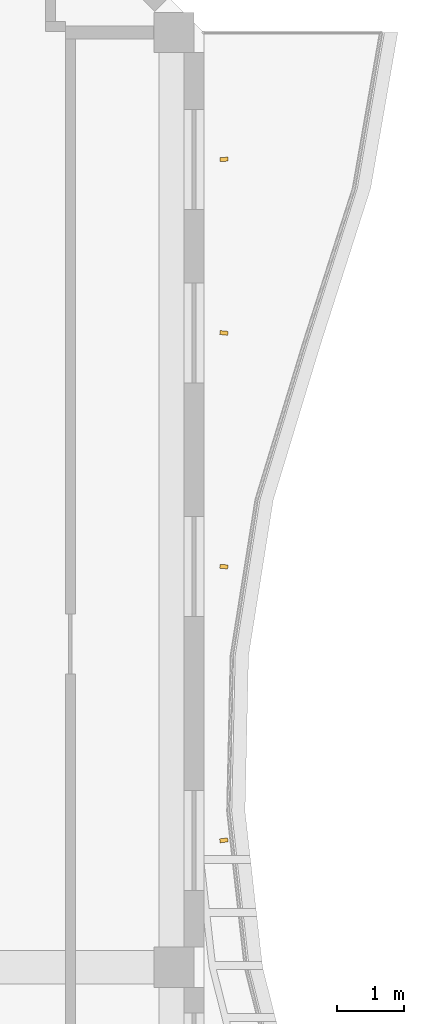
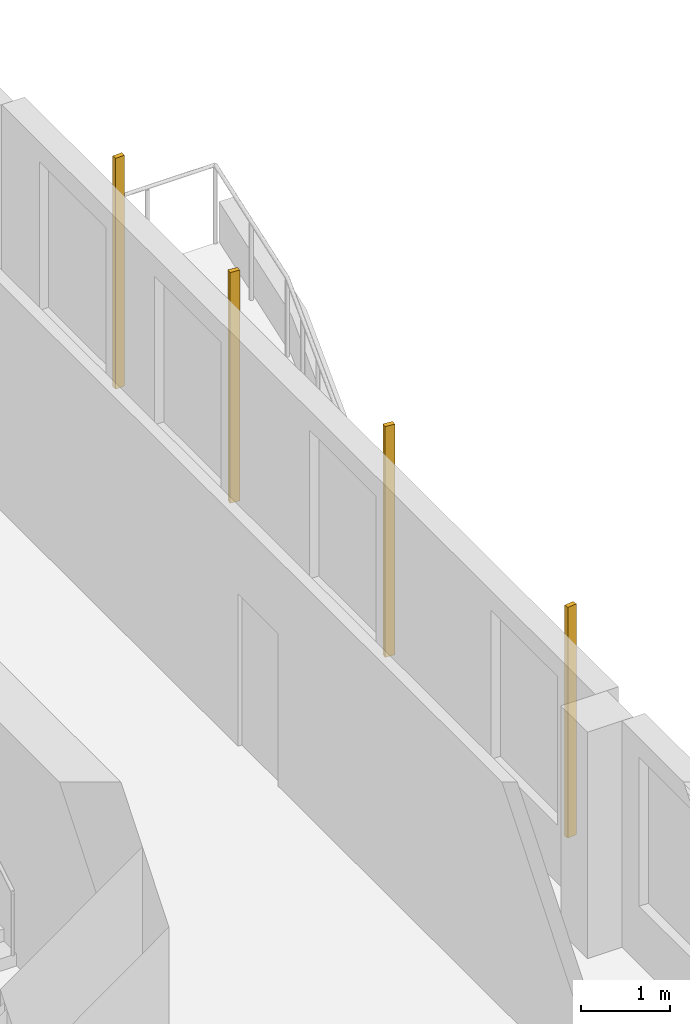
# One storey, part 18 of 18: 4 shading devices.
"""IFC4 building model written with IfcOpenShell, lengths in metres."""

from ifc_helpers import new_model, si_unit, direction, frame, origin, origin_2d, place, context, subcontext, project, spatial, rectangle, extrude, source, transform, mapped, material, material_profile, profile_set, type_object, element, save


model = new_model("IFC4")

# Units and contexts
model_context = context("Model", 3, precision=1e-05, world=origin(), true_north=direction((0.0, 1.0)))
body_context = subcontext(model_context, "Body", "Model", "MODEL_VIEW")
ifc_project = project(units=[si_unit("LENGTHUNIT", "METRE"), si_unit("AREAUNIT", "SQUARE_METRE"), si_unit("VOLUMEUNIT", "CUBIC_METRE"), si_unit("PLANEANGLEUNIT", "RADIAN"), si_unit("MASSUNIT", "GRAM", prefix="KILO")], contexts=[model_context])

# Site, building, storey
site_placement = place(None, origin())
site = spatial("IfcSite", under=ifc_project, at=site_placement, CompositionType="ELEMENT")
building_placement = place(site_placement, origin())
building = spatial("IfcBuilding", under=site, at=building_placement, Name="Kilnfold Tower and Market Hall", CompositionType="ELEMENT")
storey_placement = place(building_placement, frame((0.0, 0.0, 312.0)))
storey = spatial("IfcBuildingStorey", under=building, at=storey_placement, Name="L78", CompositionType="ELEMENT", Elevation=312.0)

# Shading devices
ifc_material = material(Name="Terracotta", Category="masonry")
ifc_material_profile = material_profile(ifc_material, rectangle(XDim=0.06005859375, YDim=0.1201171875, at=origin_2d()), Name="BAG 60x120")
ifc_profile_set = profile_set([ifc_material_profile], Name="Terracotta")
shading_device_type = type_object("IfcShadingDeviceType", Name="BAGUETTE", PredefinedType="USERDEFINED", material=ifc_profile_set)
shared_shape = source(origin(), body_context, "Body", "SweptSolid", [
    extrude(rectangle(XDim=0.06005859375, YDim=0.1201171875, at=origin_2d()), origin(), (0.0, 0.0, 1.0), 3.179931640625),
])
for number, where, z_axis, x_axis, name in (
    (1, (23.800048828125, 9.89990234375, 0.0), (0.0, 0.0, 1.0), (-0.122356110602, 0.992486262977, 0.0), "Terracotta baguette L78 E"),
    (2, (23.800048828125, 14.0, 0.0), (0.0, 0.0, 1.0), (0.09677863722, 0.995305930545, 0.0), "Terracotta baguette L78 E"),
    (3, (23.800048828125, 17.5, 0.0), (0.0, 0.0, 1.0), (0.100328720971, 0.994954344555, 0.0), "Terracotta baguette L78 E"),
    (4, (23.800048828125, 20.10009765625, 0.0), (0.0, 0.0, 1.0), (-0.049611553827, 0.998768588677, 0.0), "Terracotta baguette L78 E"),
):
    element("IfcShadingDevice", number, at=place(storey_placement, frame(where, z_axis=z_axis, x_axis=x_axis)), inside=storey, type_object=shading_device_type, Name=name, ObjectType="BAGUETTE", PredefinedType="USERDEFINED", context=body_context, shape_type="MappedRepresentation", body=[
        mapped(shared_shape, transform((0.0, 0.0, 0.0))),
    ])

save(model, "model.ifc")
